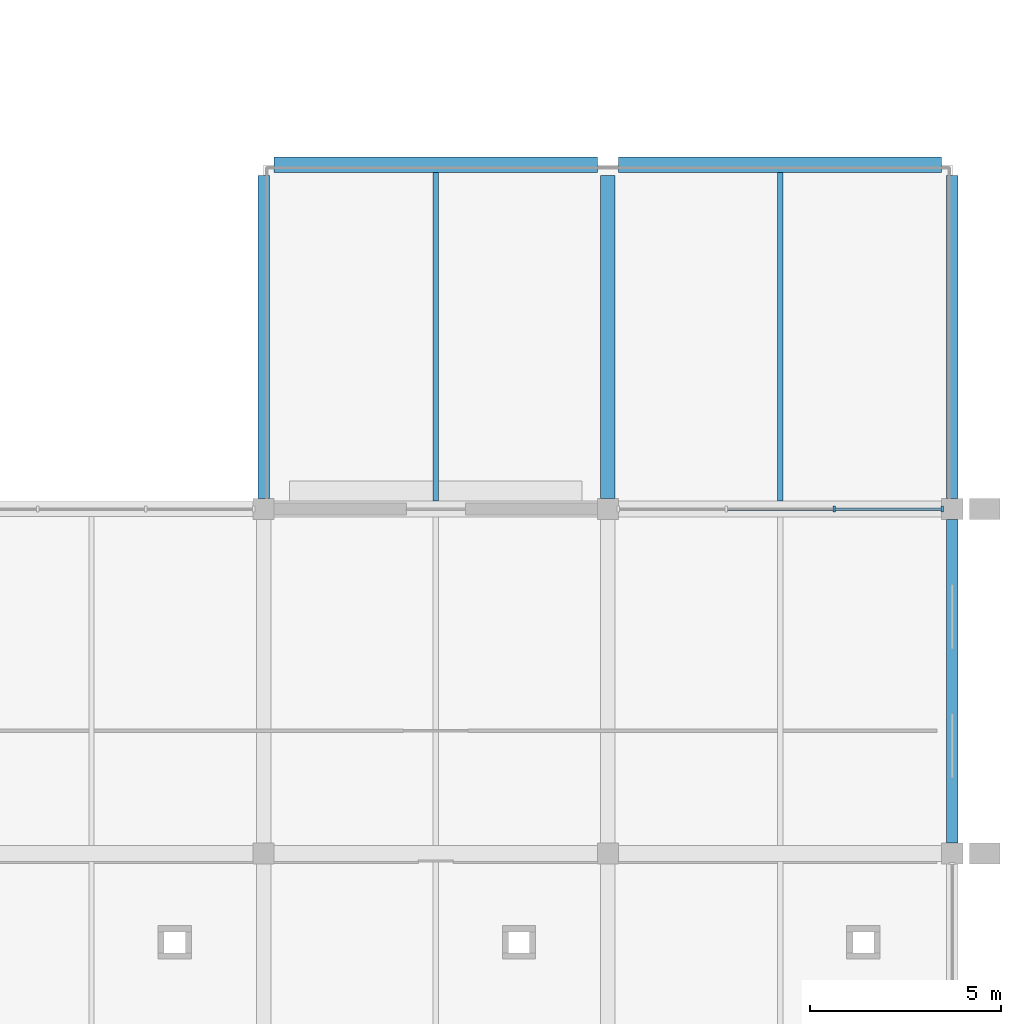
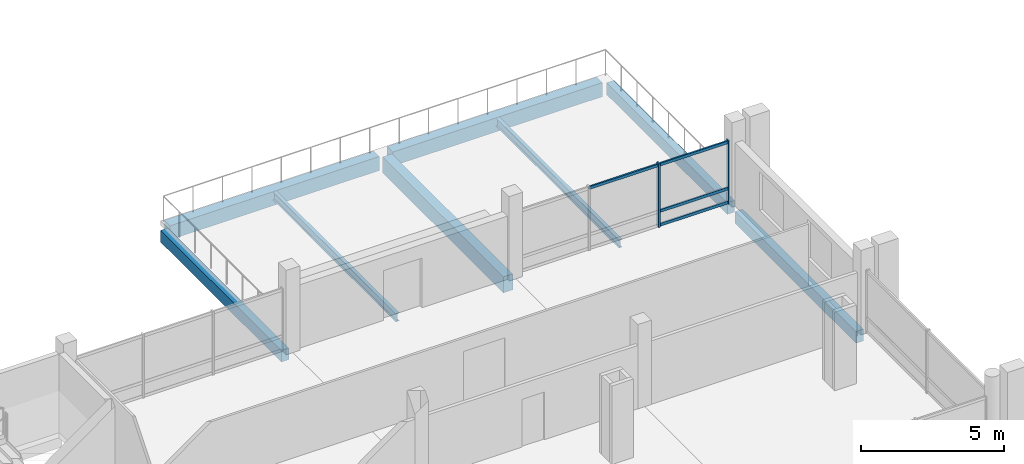
# One storey, part 62 of 132: 8 beams, 6 members, 1 element without a shape of its own.
"""IFC4 building model written with IfcOpenShell, lengths in metres."""

from ifc_helpers import new_model, si_unit, direction, frame, origin, origin_2d, place, context, subcontext, project, spatial, rectangle, i_section, extrude, material, material_profile, profile_set, type_object, element, aggregate, save


model = new_model("IFC4")

# Units and contexts
model_context = context("Model", 3, precision=1e-05, world=origin(), true_north=direction((0.0, 1.0)))
body_context = subcontext(model_context, "Body", "Model", "MODEL_VIEW")
ifc_project = project(units=[si_unit("LENGTHUNIT", "METRE"), si_unit("AREAUNIT", "SQUARE_METRE"), si_unit("VOLUMEUNIT", "CUBIC_METRE"), si_unit("PLANEANGLEUNIT", "RADIAN"), si_unit("MASSUNIT", "GRAM", prefix="KILO")], contexts=[model_context])

# Site, building, storey
site_placement = place(None, origin())
site = spatial("IfcSite", under=ifc_project, at=site_placement, CompositionType="ELEMENT")
building_placement = place(site_placement, origin())
building = spatial("IfcBuilding", under=site, at=building_placement, Name="Tharagai Park Tramway Depot", CompositionType="ELEMENT")
storey_placement = place(building_placement, frame((0.0, 0.0, 4.800048828125)))
storey = spatial("IfcBuildingStorey", under=building, at=storey_placement, Name="L01", CompositionType="ELEMENT", Elevation=4.800048828125)

# Beam
ifc_material_1 = material(Name="Concrete M35", Category="concrete")
ifc_material_profile_1 = material_profile(ifc_material_1, rectangle(XDim=0.3798828125, YDim=0.679931640625, at=origin_2d()), Name="RC 380x680")
ifc_profile_set_1 = profile_set([ifc_material_profile_1], Name="Concrete M35")
beam_type_1 = type_object("IfcBeamType", Name="BM-12", PredefinedType="BEAM", material=ifc_profile_set_1)
beam_placement = place(storey_placement, frame((207.0, 27.27490234375, -0.530029296875), z_axis=(0.0, 1.0, 0.0), x_axis=(-1.0, 0.0, 0.0)))
element("IfcBeam", 1, at=beam_placement, inside=storey, type_object=beam_type_1, Name="L01 Grid Beam BM-12", PredefinedType="BEAM", context=body_context, shape_type="SweptSolid", body=[
    extrude(rectangle(XDim=0.3798828125, YDim=0.679931640625, at=origin_2d()), origin(), (0.0, 0.0, 1.0), 8.4501953125),
])

# Curtain wall, members
ifc_material_2 = material(Name="Anodised aluminium", Category="aluminium")
curtain_wall_type = type_object("IfcCurtainWallType", Name="CW-06", PredefinedType="NOTDEFINED", material=ifc_material_2)
curtain_wall_placement = place(storey_placement, origin())
curtain_wall = element("IfcCurtainWall", 2, at=curtain_wall_placement, inside=storey, type_object=curtain_wall_type, Name="L01 V5 Gothic Mullioned Curtain Wall CW-06", PredefinedType="NOTDEFINED")
ifc_material_profile_2 = material_profile(ifc_material_2, rectangle(XDim=0.06494140625, YDim=0.1201171875, at=origin_2d()), Name="ALU 65x120")
ifc_profile_set_2 = profile_set([ifc_material_profile_2], Name="Anodised aluminium")
member_type_1 = type_object("IfcMemberType", Name="CM-01", PredefinedType="USERDEFINED", material=ifc_profile_set_2)
member_1_placement = place(storey_placement, frame((210.103271484375, 27.0, 2.6298828125), z_axis=(1.0, 0.0, 0.0), x_axis=(0.0, 1.0, 0.0)))
member_1 = element("IfcMember", 3, at=member_1_placement, type_object=member_type_1, Name="L01 V5 Gothic Mullioned Curtain Wall Transom 2.3", ObjectType="TRANSOM", PredefinedType="USERDEFINED", context=body_context, shape_type="SweptSolid", body=[
    extrude(rectangle(XDim=0.06494140625, YDim=0.1201171875, at=origin_2d()), origin(), (0.0, 0.0, 1.0), 2.79345703125),
])
member_2_placement = place(storey_placement, frame((212.9267578125, 27.0, 0.06005859375), z_axis=(1.0, 0.0, 0.0), x_axis=(0.0, 1.0, 0.0)))
member_2 = element("IfcMember", 4, at=member_2_placement, type_object=member_type_1, Name="L01 V5 Gothic Mullioned Curtain Wall Transom 3.1", ObjectType="TRANSOM", PredefinedType="USERDEFINED", context=body_context, shape_type="SweptSolid", body=[
    extrude(rectangle(XDim=0.06494140625, YDim=0.1201171875, at=origin_2d()), origin(), (0.0, 0.0, 1.0), 2.793212890625),
])
member_3_placement = place(storey_placement, frame((212.9267578125, 27.0, 0.64990234375), z_axis=(1.0, 0.0, 0.0), x_axis=(0.0, 1.0, 0.0)))
member_3 = element("IfcMember", 5, at=member_3_placement, type_object=member_type_1, Name="L01 V5 Gothic Mullioned Curtain Wall Transom 3.2", ObjectType="TRANSOM", PredefinedType="USERDEFINED", context=body_context, shape_type="SweptSolid", body=[
    extrude(rectangle(XDim=0.06494140625, YDim=0.1201171875, at=origin_2d()), origin(), (0.0, 0.0, 1.0), 2.793212890625),
])
member_4_placement = place(storey_placement, frame((212.9267578125, 27.0, 2.6298828125), z_axis=(1.0, 0.0, 0.0), x_axis=(0.0, 1.0, 0.0)))
member_4 = element("IfcMember", 6, at=member_4_placement, type_object=member_type_1, Name="L01 V5 Gothic Mullioned Curtain Wall Transom 3.3", ObjectType="TRANSOM", PredefinedType="USERDEFINED", context=body_context, shape_type="SweptSolid", body=[
    extrude(rectangle(XDim=0.06494140625, YDim=0.1201171875, at=origin_2d()), origin(), (0.0, 0.0, 1.0), 2.793212890625),
])
ifc_material_profile_3 = material_profile(ifc_material_2, rectangle(XDim=0.06494140625, YDim=0.14990234375, at=origin_2d()), Name="ALU 65x150")
ifc_profile_set_3 = profile_set([ifc_material_profile_3], Name="Anodised aluminium")
member_type_2 = type_object("IfcMemberType", Name="CM-03", PredefinedType="MULLION", material=ifc_profile_set_3)
member_5_placement = place(storey_placement, frame((212.91162109375, 27.0, -0.005126953125), z_axis=(0.0, 0.0, 1.0), x_axis=(1.0, 0.0, 0.0)))
member_5 = element("IfcMember", 7, at=member_5_placement, type_object=member_type_2, Name="L01 V5 Gothic Mullioned Curtain Wall Mullion 3", PredefinedType="MULLION", context=body_context, shape_type="SweptSolid", body=[
    extrude(rectangle(XDim=0.06494140625, YDim=0.14990234375, at=origin_2d()), origin(), (0.0, 0.0, 1.0), 2.719970703125),
])
member_6_placement = place(storey_placement, frame((215.735107421875, 27.0, -0.005126953125), z_axis=(0.0, 0.0, 1.0), x_axis=(1.0, 0.0, 0.0)))
member_6 = element("IfcMember", 8, at=member_6_placement, type_object=member_type_2, Name="L01 V5 Gothic Mullioned Curtain Wall Mullion 4", PredefinedType="MULLION", context=body_context, shape_type="SweptSolid", body=[
    extrude(rectangle(XDim=0.06494140625, YDim=0.14990234375, at=origin_2d()), origin(), (0.0, 0.0, 1.0), 2.719970703125),
])
aggregate(curtain_wall, [member_5, member_6, member_1, member_2, member_3, member_4])

# Beams
ifc_material_3 = material(Name="Steel E350", Category="steel")
ifc_material_profile_4 = material_profile(ifc_material_3, i_section(OverallWidth=0.139892578125, OverallDepth=0.35009765625, WebThickness=0.008056640625, FlangeThickness=0.01416015625, FilletRadius=0.013916015625, at=origin_2d()), Name="ISMB 350")
ifc_profile_set_4 = profile_set([ifc_material_profile_4], Name="Steel E350")
beam_type_2 = type_object("IfcBeamType", Name="JT-01", PredefinedType="JOIST", material=ifc_profile_set_4)
for number, where, z_axis, x_axis, name in (
    (9, (202.5, 27.2099609375, -0.364990234375), (0.0, 1.0, 0.0), (-1.0, 0.0, 0.0), "L01 Secondary Joist JT-01"),
    (10, (211.5, 27.2099609375, -0.364990234375), (0.0, 1.0, 0.0), (-1.0, 0.0, 0.0), "L01 Secondary Joist JT-01"),
):
    element("IfcBeam", number, at=place(storey_placement, frame(where, z_axis=z_axis, x_axis=x_axis)), inside=storey, type_object=beam_type_2, Name=name, PredefinedType="JOIST", context=body_context, shape_type="SweptSolid", body=[
        extrude(i_section(OverallWidth=0.139892578125, OverallDepth=0.35009765625, WebThickness=0.008056640625, FlangeThickness=0.01416015625, FilletRadius=0.013916015625, at=origin_2d()), origin(), (0.0, 0.0, 1.0), 8.590087890625),
    ])
ifc_material_profile_5 = material_profile(ifc_material_1, rectangle(XDim=0.39990234375, YDim=0.60009765625, at=origin_2d()), Name="RC 400x600")
ifc_profile_set_5 = profile_set([ifc_material_profile_5], Name="Concrete M35")
beam_type_3 = type_object("IfcBeamType", Name="SP-02", PredefinedType="SPANDREL", material=ifc_profile_set_5)
for number, where, z_axis, x_axis, name in (
    (11, (198.27490234375, 36.0, -0.489990234375), (1.0, 0.0, 0.0), (0.0, 1.0, 0.0), "L01 Grid Beam SP-02"),
    (12, (207.27490234375, 36.0, -0.489990234375), (1.0, 0.0, 0.0), (0.0, 1.0, 0.0), "L01 Grid Beam SP-02"),
):
    element("IfcBeam", number, at=place(storey_placement, frame(where, z_axis=z_axis, x_axis=x_axis)), inside=storey, type_object=beam_type_3, Name=name, PredefinedType="SPANDREL", context=body_context, shape_type="SweptSolid", body=[
        extrude(rectangle(XDim=0.39990234375, YDim=0.60009765625, at=origin_2d()), origin(), (0.0, 0.0, 1.0), 8.4501953125),
    ])
ifc_material_profile_6 = material_profile(ifc_material_1, rectangle(XDim=0.300048828125, YDim=0.5, at=origin_2d()), Name="RC 300x500")
ifc_profile_set_6 = profile_set([ifc_material_profile_6], Name="Concrete M35")
beam_type_4 = type_object("IfcBeamType", Name="SP-03", PredefinedType="SPANDREL", material=ifc_profile_set_6)
for number, where, z_axis, x_axis, name in (
    (13, (198.0, 27.27490234375, -0.43994140625), (0.0, 1.0, 0.0), (-1.0, 0.0, 0.0), "L01 Grid Beam SP-03"),
    (14, (216.0, 18.27490234375, -0.47998046875), (0.0, 1.0, 0.0), (-1.0, 0.0, 0.0), "L01 Grid Beam SP-03"),
    (15, (216.0, 27.27490234375, -0.43994140625), (0.0, 1.0, 0.0), (-1.0, 0.0, 0.0), "L01 Grid Beam SP-03"),
):
    element("IfcBeam", number, at=place(storey_placement, frame(where, z_axis=z_axis, x_axis=x_axis)), inside=storey, type_object=beam_type_4, Name=name, PredefinedType="SPANDREL", context=body_context, shape_type="SweptSolid", body=[
        extrude(rectangle(XDim=0.300048828125, YDim=0.5, at=origin_2d()), origin(), (0.0, 0.0, 1.0), 8.4501953125),
    ])

save(model, "model.ifc")
